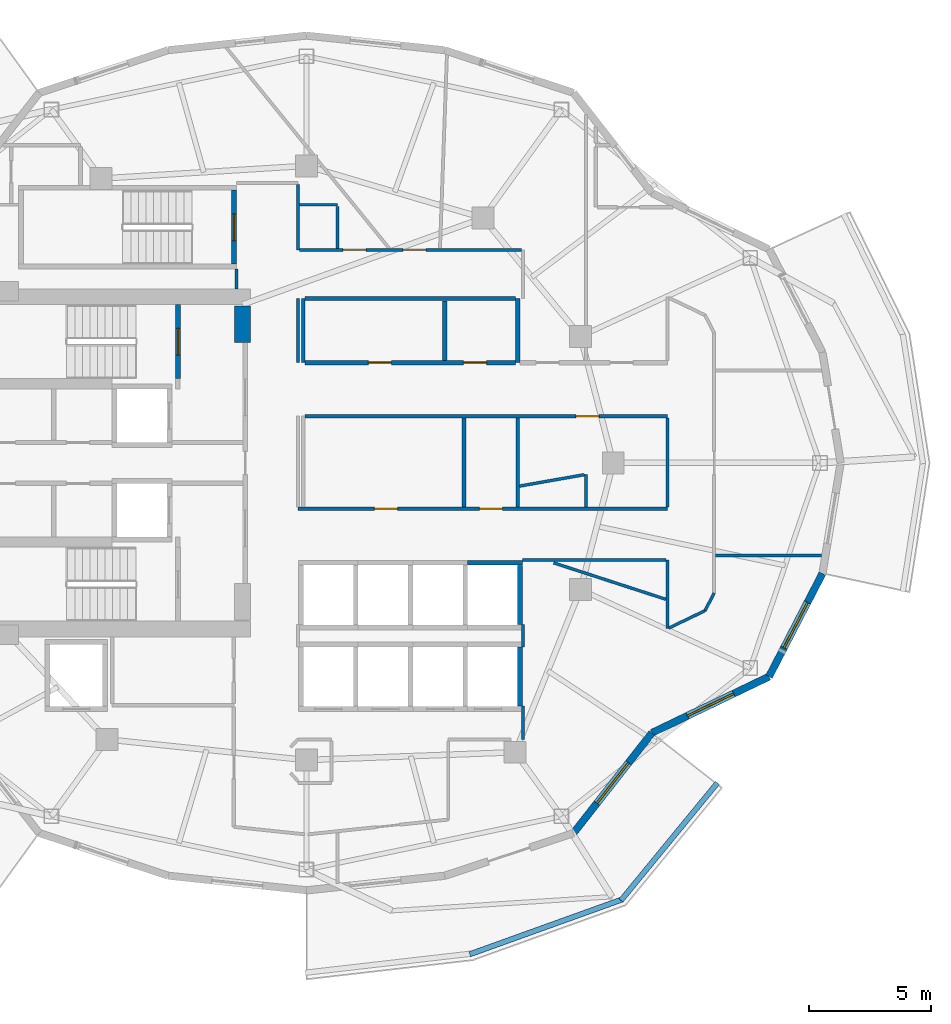
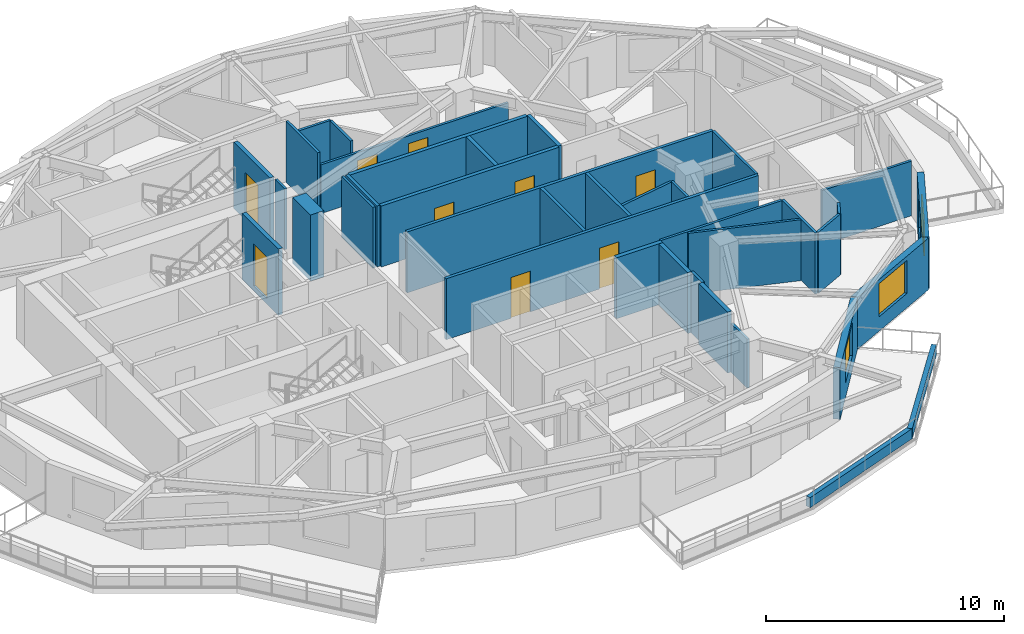
# One storey, part 5 of 12: 37 walls, 9 doors, 3 windows, 12 openings.
"""IFC4 building model written with IfcOpenShell, lengths in metres."""

from ifc_helpers import new_model, si_unit, direction, frame, frame_2d, origin, place, context, subcontext, project, spatial, rectangle, extrude, material, layer, layer_set, type_object, element, fill, save


model = new_model("IFC4")

# Units and contexts
model_context = context("Model", 3, precision=1e-05, world=origin(), true_north=direction((0.0, 1.0)))
body_context = subcontext(model_context, "Body", "Model", "MODEL_VIEW")
ifc_project = project(units=[si_unit("LENGTHUNIT", "METRE"), si_unit("AREAUNIT", "SQUARE_METRE"), si_unit("VOLUMEUNIT", "CUBIC_METRE"), si_unit("PLANEANGLEUNIT", "RADIAN"), si_unit("MASSUNIT", "GRAM", prefix="KILO")], contexts=[model_context])

# Site, building, storey
site_placement = place(None, origin())
site = spatial("IfcSite", under=ifc_project, at=site_placement, CompositionType="ELEMENT")
building_placement = place(site_placement, origin())
building = spatial("IfcBuilding", under=site, at=building_placement, Name="Kolvaren Gate Tower and Convention Centre", CompositionType="ELEMENT")
storey_placement = place(building_placement, frame((0.0, 0.0, 180.10009765625)))
storey = spatial("IfcBuildingStorey", under=building, at=storey_placement, Name="L47", CompositionType="ELEMENT", Elevation=180.10009765625)

# Wall
ifc_material_1 = material(Name="Autoclaved Aerated Masonry Blockwork Class 4 (4.0 MPa)", Category="masonry")
ifc_layer_1 = layer(ifc_material_1, 0.179931640625)
ifc_layer_set_1 = layer_set([ifc_layer_1], Name="Autoclaved Aerated Masonry Blockwork Class 4 (4.0 MPa)")
wall_type_1 = type_object("IfcWallType", Name="ARCH-WL-COMP-180", PredefinedType="SOLIDWALL", material=ifc_layer_set_1)
wall_1_placement = place(storey_placement, frame((38.800048828125, 31.1201171875, 0.0), z_axis=(0.0, 0.0, 1.0), x_axis=(0.0, 1.0, 0.0)))
element("IfcWall", 1, at=wall_1_placement, inside=storey, type_object=wall_type_1, Name="Interior Partition WL-L47-INT-018", PredefinedType="SOLIDWALL", context=body_context, shape_type="SweptSolid", body=[
    extrude(rectangle(XDim=2.6298828125, YDim=0.179931640625, at=frame_2d((1.31494140625, 0.0))), origin(), (0.0, 0.0, 1.0), 3.1298828125),
])

# Wall, openings, doors
wall_2_placement = place(storey_placement, frame((30.076904296875, 31.1201171875, 0.0), z_axis=(0.0, 0.0, 1.0), x_axis=(1.0, 0.0, 0.0)))
wall_2 = element("IfcWall", 2, at=wall_2_placement, inside=storey, type_object=wall_type_1, Name="Interior Partition WL-L47-INT-019", PredefinedType="SOLIDWALL", context=body_context, shape_type="SweptSolid", body=[
    extrude(rectangle(XDim=8.631103515625, YDim=0.179931640625, at=frame_2d((4.3154296875, 0.0))), origin(), (0.0, 0.0, 1.0), 3.1298828125),
])
opening_1_placement = place(wall_2_placement, frame((2.591552734375, 0.0, 0.0)))
opening_1 = element("IfcOpeningElement", 3, at=opening_1_placement, cuts=wall_2, Name="Opening DR-01", PredefinedType="OPENING", context=body_context, shape_type="SweptSolid", body=[
    extrude(rectangle(XDim=0.949951171875, YDim=2.10009765625, at=frame_2d((0.47509765625, 1.050048828125))), frame((0.0, 0.099853515625, 0.0), z_axis=(0.0, -1.0, 0.0), x_axis=(1.0, 0.0, 0.0)), (0.0, 0.0, 1.0), 0.199951171875),
])
opening_2_placement = place(wall_2_placement, frame((6.4970703125, 0.0, 0.0)))
opening_2 = element("IfcOpeningElement", 4, at=opening_2_placement, cuts=wall_2, Name="Opening DR-01", PredefinedType="OPENING", context=body_context, shape_type="SweptSolid", body=[
    extrude(rectangle(XDim=0.949951171875, YDim=2.10009765625, at=frame_2d((0.47509765625, 1.050048828125))), frame((0.0, 0.099853515625, 0.0), z_axis=(0.0, -1.0, 0.0), x_axis=(1.0, 0.0, 0.0)), (0.0, 0.0, 1.0), 0.199951171875),
])
ifc_material_2 = material(Name="Painted Architectural Steelwork ASTM A500 Grade C 345 MPa", Category="steel")
door_type_1 = type_object("IfcDoorType", Name="ARCH-DR-RISER-950", OperationType="SINGLE_SWING_RIGHT", PredefinedType="DOOR", material=ifc_material_2)
door_1_placement = place(opening_1_placement, origin())
door_1 = element("IfcDoor", 5, at=door_1_placement, inside=storey, type_object=door_type_1, Name="Steward Supply Store Door", OperationType="SINGLE_SWING_LEFT", OverallHeight=2.10009765625, OverallWidth=0.949951171875, PredefinedType="DOOR", context=body_context, shape_type="SweptSolid", body=[
    extrude(rectangle(XDim=0.949951171875, YDim=2.10009765625, at=frame_2d((0.47509765625, 1.050048828125))), frame((0.0, 0.02490234375, 0.0), z_axis=(0.0, -1.0, 0.0), x_axis=(1.0, 0.0, 0.0)), (0.0, 0.0, 1.0), 0.050048828125),
])
fill(opening_1, door_1)
door_2_placement = place(opening_2_placement, origin())
door_2 = element("IfcDoor", 6, at=door_2_placement, inside=storey, type_object=door_type_1, Name="Floor Telecom Switch Room Door", OperationType="SINGLE_SWING_RIGHT", OverallHeight=2.10009765625, OverallWidth=0.949951171875, PredefinedType="DOOR", context=body_context, shape_type="SweptSolid", body=[
    extrude(rectangle(XDim=0.949951171875, YDim=2.10009765625, at=frame_2d((0.47509765625, 1.050048828125))), frame((0.0, 0.02490234375, 0.0), z_axis=(0.0, -1.0, 0.0), x_axis=(1.0, 0.0, 0.0)), (0.0, 0.0, 1.0), 0.050048828125),
])
fill(opening_2, door_2)

# Walls
wall_3_placement = place(storey_placement, frame((30.076904296875, 33.75, 0.0), z_axis=(0.0, 0.0, 1.0), x_axis=(1.0, 0.0, 0.0)))
element("IfcWall", 7, at=wall_3_placement, inside=storey, type_object=wall_type_1, Name="Interior Partition WL-L47-INT-020", PredefinedType="SOLIDWALL", context=body_context, shape_type="SweptSolid", body=[
    extrude(rectangle(XDim=8.631103515625, YDim=0.179931640625, at=frame_2d((4.3154296875, 0.0))), origin(), (0.0, 0.0, 1.0), 3.1298828125),
])
wall_4_placement = place(storey_placement, frame((35.800048828125, 31.2119140625, 0.0), z_axis=(0.0, 0.0, 1.0), x_axis=(0.0, 1.0, 0.0)))
element("IfcWall", 8, at=wall_4_placement, inside=storey, type_object=wall_type_1, Name="Interior Partition WL-L47-INT-021", PredefinedType="SOLIDWALL", context=body_context, shape_type="SweptSolid", body=[
    extrude(rectangle(XDim=2.446044921875, YDim=0.179931640625, at=frame_2d((1.22314453125, 0.0))), origin(), (0.0, 0.0, 1.0), 3.1298828125),
])
ifc_material_3 = material(Name="Fire-Rated Acoustic Gypsum Stud Partition", Category="gypsum")
ifc_layer_2 = layer(ifc_material_3, 0.1201171875)
ifc_layer_set_2 = layer_set([ifc_layer_2], Name="Fire-Rated Acoustic Gypsum Stud Partition")
wall_type_2 = type_object("IfcWallType", Name="ARCH-WL-PART-120", PredefinedType="PARTITIONING", material=ifc_layer_set_2)
wall_5_placement = place(storey_placement, frame((39.02001953125, 15.64990234375, 0.0), z_axis=(0.0, 0.0, 1.0), x_axis=(0.0, 1.0, 0.0)))
element("IfcWall", 9, at=wall_5_placement, inside=storey, type_object=wall_type_2, Name="Interior Partition WL-L47-INT-022", PredefinedType="PARTITIONING", context=body_context, shape_type="SweptSolid", body=[
    extrude(rectangle(XDim=1.360107421875, YDim=0.1201171875, at=frame_2d((0.68017578125, 0.0))), origin(), (0.0, 0.0, 1.0), 2.5048828125),
])
wall_6_placement = place(storey_placement, frame((39.02001953125, 19.43994140625, 0.0), z_axis=(0.0, 0.0, 1.0), x_axis=(0.0, 1.0, 0.0)))
element("IfcWall", 10, at=wall_6_placement, inside=storey, type_object=wall_type_2, Name="Interior Partition WL-L47-INT-022 (2)", PredefinedType="PARTITIONING", context=body_context, shape_type="SweptSolid", body=[
    extrude(rectangle(XDim=0.920166015625, YDim=0.1201171875, at=frame_2d((0.4599609375, 0.0))), origin(), (0.0, 0.0, 1.0), 3.1298828125),
])
wall_7_placement = place(storey_placement, frame((27.25, 34.152099609375, 0.0), z_axis=(0.0, 0.0, 1.0), x_axis=(0.0, 1.0, 0.0)))
element("IfcWall", 11, at=wall_7_placement, inside=storey, type_object=wall_type_2, Name="Interior Partition WL-L47-INT-029", PredefinedType="PARTITIONING", context=body_context, shape_type="SweptSolid", body=[
    extrude(rectangle(XDim=0.805908203125, YDim=0.1201171875, at=frame_2d((0.40283203125, 0.0))), origin(), (0.0, 0.0, 1.0), 3.1298828125),
])
wall_8_placement = place(storey_placement, frame((29.780029296875, 31.1201171875, 0.0), z_axis=(0.0, 0.0, 1.0), x_axis=(0.0, 1.0, 0.0)))
element("IfcWall", 12, at=wall_8_placement, inside=storey, type_object=wall_type_2, Name="Interior Partition WL-L47-INT-033", PredefinedType="PARTITIONING", context=body_context, shape_type="SweptSolid", body=[
    extrude(rectangle(XDim=2.6298828125, YDim=0.1201171875, at=frame_2d((1.31494140625, 0.0))), origin(), (0.0, 0.0, 1.0), 3.1298828125),
])
wall_9_placement = place(storey_placement, frame((29.780029296875, 35.75, 0.0), z_axis=(0.0, 0.0, 1.0), x_axis=(0.0, 1.0, 0.0)))
element("IfcWall", 13, at=wall_9_placement, inside=storey, type_object=wall_type_2, Name="Interior Partition WL-L47-INT-034", PredefinedType="PARTITIONING", context=body_context, shape_type="SweptSolid", body=[
    extrude(rectangle(XDim=2.68798828125, YDim=0.1201171875, at=frame_2d((1.343994140625, 0.0))), origin(), (0.0, 0.0, 1.0), 3.1298828125),
])

# Wall, openings, doors
wall_10_placement = place(storey_placement, frame((29.842041015625, 35.75, 0.0), z_axis=(0.0, 0.0, 1.0), x_axis=(1.0, 0.0, 0.0)))
wall_10 = element("IfcWall", 14, at=wall_10_placement, inside=storey, type_object=wall_type_2, Name="Interior Partition WL-L47-INT-035", PredefinedType="PARTITIONING", context=body_context, shape_type="SweptSolid", body=[
    extrude(rectangle(XDim=9.115966796875, YDim=0.1201171875, at=frame_2d((4.55810546875, 0.0))), origin(), (0.0, 0.0, 1.0), 2.5048828125),
])
opening_3_placement = place(wall_10_placement, frame((4.240478515625, 0.0, 0.0)))
opening_3 = element("IfcOpeningElement", 15, at=opening_3_placement, cuts=wall_10, Name="Opening DR-01", PredefinedType="OPENING", context=body_context, shape_type="SweptSolid", body=[
    extrude(rectangle(XDim=0.949951171875, YDim=2.10009765625, at=frame_2d((0.47509765625, 1.050048828125))), frame((0.0, 0.070068359375, 0.0), z_axis=(0.0, -1.0, 0.0), x_axis=(1.0, 0.0, 0.0)), (0.0, 0.0, 1.0), 0.14013671875),
])
opening_4_placement = place(wall_10_placement, frame((1.784912109375, 0.0, 0.0)))
opening_4 = element("IfcOpeningElement", 16, at=opening_4_placement, cuts=wall_10, Name="Opening DR-01", PredefinedType="OPENING", context=body_context, shape_type="SweptSolid", body=[
    extrude(rectangle(XDim=0.949951171875, YDim=2.10009765625, at=frame_2d((0.47509765625, 1.050048828125))), frame((0.0, 0.070068359375, 0.0), z_axis=(0.0, -1.0, 0.0), x_axis=(1.0, 0.0, 0.0)), (0.0, 0.0, 1.0), 0.14013671875),
])
door_3_placement = place(opening_3_placement, origin())
door_3 = element("IfcDoor", 17, at=door_3_placement, inside=storey, type_object=door_type_1, Name="Hotel Botanical Clubroom Door", OperationType="SINGLE_SWING_LEFT", OverallHeight=2.10009765625, OverallWidth=0.949951171875, PredefinedType="DOOR", context=body_context, shape_type="SweptSolid", body=[
    extrude(rectangle(XDim=0.949951171875, YDim=2.10009765625, at=frame_2d((0.47509765625, 1.050048828125))), frame((0.0, 0.02490234375, 0.0), z_axis=(0.0, -1.0, 0.0), x_axis=(1.0, 0.0, 0.0)), (0.0, 0.0, 1.0), 0.050048828125),
])
fill(opening_3, door_3)
door_4_placement = place(opening_4_placement, origin())
door_4 = element("IfcDoor", 18, at=door_4_placement, inside=storey, type_object=door_type_1, Name="Hotel Guest Room (HTL-L47-08) Door", OperationType="SINGLE_SWING_RIGHT", OverallHeight=2.10009765625, OverallWidth=0.949951171875, PredefinedType="DOOR", context=body_context, shape_type="SweptSolid", body=[
    extrude(rectangle(XDim=0.949951171875, YDim=2.10009765625, at=frame_2d((0.47509765625, 1.050048828125))), frame((0.0, 0.02490234375, 0.0), z_axis=(0.0, -1.0, 0.0), x_axis=(1.0, 0.0, 0.0)), (0.0, 0.0, 1.0), 0.050048828125),
])
fill(opening_4, door_4)

# Walls
wall_11_placement = place(storey_placement, frame((44.949951171875, 20.19189453125, 0.0), z_axis=(0.0, 0.0, 1.0), x_axis=(0.0, 1.0, 0.0)))
element("IfcWall", 19, at=wall_11_placement, inside=storey, type_object=wall_type_2, Name="Interior Partition WL-L47-INT-036", PredefinedType="PARTITIONING", context=body_context, shape_type="SweptSolid", body=[
    extrude(rectangle(XDim=2.828125, YDim=0.1201171875, at=frame_2d((1.4140625, 0.0))), origin(), (0.0, 0.0, 1.0), 3.1298828125),
])
wall_12_placement = place(storey_placement, frame((44.949951171875, 25.197021484375, 0.0), z_axis=(0.0, 0.0, 1.0), x_axis=(0.0, 1.0, 0.0)))
element("IfcWall", 20, at=wall_12_placement, inside=storey, type_object=wall_type_2, Name="Interior Partition WL-L47-INT-037", PredefinedType="PARTITIONING", context=body_context, shape_type="SweptSolid", body=[
    extrude(rectangle(XDim=3.64599609375, YDim=0.1201171875, at=frame_2d((1.822998046875, 0.0))), origin(), (0.0, 0.0, 1.0), 3.1298828125),
])
wall_13_placement = place(storey_placement, frame((46.493896484375, 20.93408203125, 0.0), z_axis=(0.0, 0.0, 1.0), x_axis=(0.460674892026, 0.887568951607, 0.0)))
element("IfcWall", 21, at=wall_13_placement, inside=storey, type_object=wall_type_2, Name="Interior Partition WL-L47-INT-042", PredefinedType="PARTITIONING", context=body_context, shape_type="SweptSolid", body=[
    extrude(rectangle(XDim=0.816650390625, YDim=0.1201171875, at=frame_2d((0.408203125, 0.0))), origin(), (0.0, 0.0, 1.0), 3.1298828125),
])
wall_14_placement = place(storey_placement, frame((45.011962890625, 20.2216796875, 0.0), z_axis=(0.0, 0.0, 1.0), x_axis=(0.901268034538, 0.433261964544, 0.0)))
element("IfcWall", 22, at=wall_14_placement, inside=storey, type_object=wall_type_2, Name="Interior Partition WL-L47-INT-043", PredefinedType="PARTITIONING", context=body_context, shape_type="SweptSolid", body=[
    extrude(rectangle(XDim=1.644287109375, YDim=0.1201171875, at=frame_2d((0.822265625, 0.0))), origin(), (0.0, 0.0, 1.0), 3.1298828125),
])
wall_15_placement = place(storey_placement, frame((39.0, 23.02001953125, 0.0), z_axis=(0.0, 0.0, 1.0), x_axis=(1.0, 0.0, 0.0)))
element("IfcWall", 23, at=wall_15_placement, inside=storey, type_object=wall_type_2, Name="Interior Partition WL-L47-INT-044", PredefinedType="PARTITIONING", context=body_context, shape_type="SweptSolid", body=[
    extrude(rectangle(XDim=5.887939453125, YDim=0.1201171875, at=frame_2d((2.94384765625, 0.0))), origin(), (0.0, 0.0, 1.0), 3.1298828125),
])
wall_16_placement = place(storey_placement, frame((29.842041015625, 37.60009765625, 0.0), z_axis=(0.0, 0.0, 1.0), x_axis=(1.0, 0.0, 0.0)))
element("IfcWall", 24, at=wall_16_placement, inside=storey, type_object=wall_type_2, Name="Interior Partition WL-L47-INT-050", PredefinedType="PARTITIONING", context=body_context, shape_type="SweptSolid", body=[
    extrude(rectangle(XDim=1.557861328125, YDim=0.1201171875, at=frame_2d((0.77880859375, 0.0))), origin(), (0.0, 0.0, 1.0), 3.1298828125),
])
wall_17_placement = place(storey_placement, frame((31.39990234375, 35.81201171875, 0.0), z_axis=(0.0, 0.0, 1.0), x_axis=(0.0, 1.0, 0.0)))
element("IfcWall", 25, at=wall_17_placement, inside=storey, type_object=wall_type_2, Name="Interior Partition WL-L47-INT-052", PredefinedType="PARTITIONING", context=body_context, shape_type="SweptSolid", body=[
    extrude(rectangle(XDim=1.72607421875, YDim=0.1201171875, at=frame_2d((0.863037109375, 0.0))), origin(), (0.0, 0.0, 1.0), 3.1298828125),
])
wall_18_placement = place(storey_placement, frame((40.277587890625, 22.89794921875, 0.0), z_axis=(0.0, 0.0, 1.0), x_axis=(0.951068113263, -0.3089813003, 0.0)))
element("IfcWall", 26, at=wall_18_placement, inside=storey, type_object=wall_type_2, Name="Interior Partition WL-L47-INT-053", PredefinedType="PARTITIONING", context=body_context, shape_type="SweptSolid", body=[
    extrude(rectangle(XDim=4.84765625, YDim=0.1201171875, at=frame_2d((2.423828125, 0.0))), origin(), (0.0, 0.0, 1.0), 3.1298828125),
])
wall_19_placement = place(storey_placement, frame((46.931884765625, 23.199951171875, 0.0), z_axis=(0.0, 0.0, 1.0), x_axis=(1.0, 0.0, 0.0)))
element("IfcWall", 27, at=wall_19_placement, inside=storey, type_object=wall_type_2, Name="Interior Partition WL-L47-INT-054", PredefinedType="PARTITIONING", context=body_context, shape_type="SweptSolid", body=[
    extrude(rectangle(XDim=4.351318359375, YDim=0.1201171875, at=frame_2d((2.17578125, 0.0))), origin(), (0.0, 0.0, 1.0), 2.81201171875),
])
wall_20_placement = place(storey_placement, frame((41.60009765625, 25.197021484375, 0.0), z_axis=(0.0, 0.0, 1.0), x_axis=(0.0, 1.0, 0.0)))
element("IfcWall", 28, at=wall_20_placement, inside=storey, type_object=wall_type_2, Name="Interior Partition WL-L47-INT-056", PredefinedType="PARTITIONING", context=body_context, shape_type="SweptSolid", body=[
    extrude(rectangle(XDim=1.3310546875, YDim=0.1201171875, at=frame_2d((0.66552734375, 0.0))), origin(), (0.0, 0.0, 1.0), 3.1298828125),
])
wall_21_placement = place(storey_placement, frame((38.876953125, 26.048583984375, 0.0), z_axis=(0.0, 0.0, 1.0), x_axis=(0.984853517989, 0.173388431286, 0.0)))
element("IfcWall", 29, at=wall_21_placement, inside=storey, type_object=wall_type_2, Name="Interior Partition WL-L47-INT-058", PredefinedType="PARTITIONING", context=body_context, shape_type="SweptSolid", body=[
    extrude(rectangle(XDim=2.7021484375, YDim=0.1201171875, at=frame_2d((1.35107421875, 0.0))), origin(), (0.0, 0.0, 1.0), 3.1298828125),
])
ifc_material_4 = material(Name="Piedmont Cream Honed Limestone Cladding", Category="masonry")
ifc_layer_3 = layer(ifc_material_4, 0.219970703125)
ifc_layer_set_3 = layer_set([ifc_layer_3], Name="Piedmont Cream Honed Limestone Cladding")
wall_type_3 = type_object("IfcWallType", Name="ARCH-WL-PLANTER-220", PredefinedType="PARAPET", material=ifc_layer_set_3)
wall_22_placement = place(storey_placement, frame((36.836669921875, 6.826171875, 0.0), z_axis=(0.0, 0.0, 1.0), x_axis=(0.940948576924, 0.338549517184, 0.0)))
element("IfcWall", 30, at=wall_22_placement, inside=storey, type_object=wall_type_3, Name="Vertical-Forest Balcony Stone Planter Kerb PK-L47-3.2", PredefinedType="PARAPET", context=body_context, shape_type="SweptSolid", body=[
    extrude(rectangle(XDim=6.6640625, YDim=0.219970703125, at=frame_2d((3.33203125, 0.0))), origin(), (0.0, 0.0, 1.0), 0.52001953125),
])
wall_23_placement = place(storey_placement, frame((43.0419921875, 9.03564453125, 0.0), z_axis=(0.0, 0.0, 1.0), x_axis=(0.634429234628, 0.77298094818, 0.0)))
element("IfcWall", 31, at=wall_23_placement, inside=storey, type_object=wall_type_3, Name="Vertical-Forest Balcony Stone Planter Kerb PK-L47-3.3", PredefinedType="PARAPET", context=body_context, shape_type="SweptSolid", body=[
    extrude(rectangle(XDim=6.244873046875, YDim=0.219970703125, at=frame_2d((3.12255859375, 0.0))), origin(), (0.0, 0.0, 1.0), 0.52001953125),
])
ifc_layer_4 = layer(ifc_material_1, 0.199951171875)
ifc_layer_set_4 = layer_set([ifc_layer_4], Name="Autoclaved Aerated Masonry Blockwork Class 4 (4.0 MPa)")
wall_type_4 = type_object("IfcWallType", Name="ARCH-WL-SHAFT-200", PredefinedType="SOLIDWALL", material=ifc_layer_set_4)
wall_24_placement = place(storey_placement, frame((38.89990234375, 17.010009765625, 0.0), z_axis=(0.0, 0.0, 1.0), x_axis=(0.0, 1.0, 0.0)))
element("IfcWall", 32, at=wall_24_placement, inside=storey, type_object=wall_type_4, Name="Elevator PL-08 L47 Fire Shaft Wall E", PredefinedType="SOLIDWALL", context=body_context, shape_type="SweptSolid", body=[
    extrude(rectangle(XDim=2.429931640625, YDim=0.199951171875, at=frame_2d((1.21484375, 0.0))), origin(), (0.0, 0.0, 1.0), 3.1298828125),
])
wall_25_placement = place(storey_placement, frame((36.75, 22.89990234375, 0.0), z_axis=(0.0, 0.0, 1.0), x_axis=(1.0, 0.0, 0.0)))
element("IfcWall", 33, at=wall_25_placement, inside=storey, type_object=wall_type_4, Name="Elevator PL-12 L47 Fire Shaft Wall N", PredefinedType="SOLIDWALL", context=body_context, shape_type="SweptSolid", body=[
    extrude(rectangle(XDim=2.25, YDim=0.199951171875, at=frame_2d((1.125, 0.0))), origin(), (0.0, 0.0, 1.0), 3.1298828125),
])
wall_26_placement = place(storey_placement, frame((38.89990234375, 20.360107421875, 0.0), z_axis=(0.0, 0.0, 1.0), x_axis=(0.0, 1.0, 0.0)))
element("IfcWall", 34, at=wall_26_placement, inside=storey, type_object=wall_type_4, Name="Elevator PL-12 L47 Fire Shaft Wall E", PredefinedType="SOLIDWALL", context=body_context, shape_type="SweptSolid", body=[
    extrude(rectangle(XDim=2.429931640625, YDim=0.199951171875, at=frame_2d((1.21484375, 0.0))), origin(), (0.0, 0.0, 1.0), 3.1298828125),
])

# Wall, opening, window
ifc_layer_5 = layer(ifc_material_4, 0.300048828125)
ifc_layer_set_5 = layer_set([ifc_layer_5], Name="Piedmont Cream Honed Limestone Cladding")
wall_type_5 = type_object("IfcWallType", Name="ARCH-WL-STONE-300", PredefinedType="SOLIDWALL", material=ifc_layer_set_5)
wall_27_placement = place(storey_placement, frame((41.09375, 11.80126953125, 0.0), z_axis=(0.0, 0.0, 1.0), x_axis=(0.616429245738, 0.787410302828, 0.0)))
wall_27 = element("IfcWall", 35, at=wall_27_placement, inside=storey, type_object=wall_type_5, Name="Tower L47 Honed Stone Spandrel Wall EW-20", PredefinedType="SOLIDWALL", context=body_context, shape_type="SweptSolid", body=[
    extrude(rectangle(XDim=5.22314453125, YDim=0.300048828125, at=frame_2d((2.611572265625, 0.0))), origin(), (0.0, 0.0, 1.0), 2.65283203125),
])
opening_5_placement = place(wall_27_placement, frame((1.56201171875, 0.0, 0.739990234375)))
opening_5 = element("IfcOpeningElement", 36, at=opening_5_placement, cuts=wall_27, Name="Opening W-02", PredefinedType="OPENING", context=body_context, shape_type="SweptSolid", body=[
    extrude(rectangle(XDim=2.10009765625, YDim=1.699951171875, at=frame_2d((1.050048828125, 0.85009765625))), frame((0.0, 0.159912109375, 0.0), z_axis=(0.0, -1.0, 0.0), x_axis=(1.0, 0.0, 0.0)), (0.0, 0.0, 1.0), 0.320068359375),
])
ifc_material_5 = material(Name="Low-E Triple Insulated Glazing Unit 44 mm", Category="glass")
window_type = type_object("IfcWindowType", Name="ARCH-WN-HTL-2100", PartitioningType="SINGLE_PANEL", PredefinedType="WINDOW", material=ifc_material_5)
window_1_placement = place(opening_5_placement, origin())
window_1 = element("IfcWindow", 37, at=window_1_placement, inside=storey, type_object=window_type, Name="Tower L47 Punched Stone Facade Window W-20", OverallHeight=1.699951171875, OverallWidth=2.10009765625, PartitioningType="SINGLE_PANEL", PredefinedType="WINDOW", context=body_context, shape_type="SweptSolid", body=[
    extrude(rectangle(XDim=2.10009765625, YDim=1.699951171875, at=frame_2d((1.050048828125, 0.85009765625))), frame((0.0, 0.030029296875, 0.0), z_axis=(0.0, -1.0, 0.0), x_axis=(1.0, 0.0, 0.0)), (0.0, 0.0, 1.0), 0.06005859375),
])
fill(opening_5, window_1)

wall_28_placement = place(storey_placement, frame((44.3134765625, 15.9140625, 0.0), z_axis=(0.0, 0.0, 1.0), x_axis=(0.901353070301, 0.433085029363, 0.0)))
wall_28 = element("IfcWall", 38, at=wall_28_placement, inside=storey, type_object=wall_type_5, Name="Tower L47 Honed Stone Spandrel Wall EW-21", PredefinedType="SOLIDWALL", context=body_context, shape_type="SweptSolid", body=[
    extrude(rectangle(XDim=5.336181640625, YDim=0.300048828125, at=frame_2d((2.66796875, 0.0))), origin(), (0.0, 0.0, 1.0), 2.65283203125),
])
opening_6_placement = place(wall_28_placement, frame((1.617919921875, 0.0, 0.739990234375)))
opening_6 = element("IfcOpeningElement", 39, at=opening_6_placement, cuts=wall_28, Name="Opening W-02", PredefinedType="OPENING", context=body_context, shape_type="SweptSolid", body=[
    extrude(rectangle(XDim=2.10009765625, YDim=1.699951171875, at=frame_2d((1.050048828125, 0.85009765625))), frame((0.0, 0.159912109375, 0.0), z_axis=(0.0, -1.0, 0.0), x_axis=(1.0, 0.0, 0.0)), (0.0, 0.0, 1.0), 0.320068359375),
])
window_2_placement = place(opening_6_placement, origin())
window_2 = element("IfcWindow", 40, at=window_2_placement, inside=storey, type_object=window_type, Name="Tower L47 Punched Stone Facade Window W-21", OverallHeight=1.699951171875, OverallWidth=2.10009765625, PartitioningType="SINGLE_PANEL", PredefinedType="WINDOW", context=body_context, shape_type="SweptSolid", body=[
    extrude(rectangle(XDim=2.10009765625, YDim=1.699951171875, at=frame_2d((1.050048828125, 0.85009765625))), frame((0.0, 0.030029296875, 0.0), z_axis=(0.0, -1.0, 0.0), x_axis=(1.0, 0.0, 0.0)), (0.0, 0.0, 1.0), 0.06005859375),
])
fill(opening_6, window_2)

wall_29_placement = place(storey_placement, frame((49.123291015625, 18.22509765625, 0.0), z_axis=(0.0, 0.0, 1.0), x_axis=(0.459810251451, 0.888017191647, 0.0)))
wall_29 = element("IfcWall", 41, at=wall_29_placement, inside=storey, type_object=wall_type_5, Name="Tower L47 Honed Stone Spandrel Wall EW-22", PredefinedType="SOLIDWALL", context=body_context, shape_type="SweptSolid", body=[
    extrude(rectangle(XDim=4.766357421875, YDim=0.300048828125, at=frame_2d((2.38330078125, 0.0))), origin(), (0.0, 0.0, 1.0), 2.65283203125),
])
opening_7_placement = place(wall_29_placement, frame((1.3330078125, 0.0, 0.739990234375)))
opening_7 = element("IfcOpeningElement", 42, at=opening_7_placement, cuts=wall_29, Name="Opening W-02", PredefinedType="OPENING", context=body_context, shape_type="SweptSolid", body=[
    extrude(rectangle(XDim=2.10009765625, YDim=1.699951171875, at=frame_2d((1.050048828125, 0.85009765625))), frame((0.0, 0.159912109375, 0.0), z_axis=(0.0, -1.0, 0.0), x_axis=(1.0, 0.0, 0.0)), (0.0, 0.0, 1.0), 0.320068359375),
])
window_3_placement = place(opening_7_placement, origin())
window_3 = element("IfcWindow", 43, at=window_3_placement, inside=storey, type_object=window_type, Name="Tower L47 Punched Stone Facade Window W-22", OverallHeight=1.699951171875, OverallWidth=2.10009765625, PartitioningType="SINGLE_PANEL", PredefinedType="WINDOW", context=body_context, shape_type="SweptSolid", body=[
    extrude(rectangle(XDim=2.10009765625, YDim=1.699951171875, at=frame_2d((1.050048828125, 0.85009765625))), frame((0.0, 0.030029296875, 0.0), z_axis=(0.0, -1.0, 0.0), x_axis=(1.0, 0.0, 0.0)), (0.0, 0.0, 1.0), 0.06005859375),
])
fill(opening_7, window_3)

# Wall, openings, doors
ifc_material_6 = material(Name="Moisture-Resistant Cement-Board Acoustic Partition", Category="gypsum")
ifc_layer_6 = layer(ifc_material_6, 0.14990234375)
ifc_layer_set_6 = layer_set([ifc_layer_6], Name="Moisture-Resistant Cement-Board Acoustic Partition")
wall_type_6 = type_object("IfcWallType", Name="ARCH-WL-WET-150", PredefinedType="PARTITIONING", material=ifc_layer_set_6)
wall_30_placement = place(storey_placement, frame((29.780029296875, 25.1201171875, 0.0), z_axis=(0.0, 0.0, 1.0), x_axis=(1.0, 0.0, 0.0)))
wall_30 = element("IfcWall", 44, at=wall_30_placement, inside=storey, type_object=wall_type_6, Name="Interior Partition WL-L47-INT-012", PredefinedType="PARTITIONING", context=body_context, shape_type="SweptSolid", body=[
    extrude(rectangle(XDim=15.169921875, YDim=0.14990234375, at=frame_2d((7.5849609375, 0.0))), origin(), (0.0, 0.0, 1.0), 3.1298828125),
])
opening_8_placement = place(wall_30_placement, frame((3.139892578125, 0.0, 0.0)))
opening_8 = element("IfcOpeningElement", 45, at=opening_8_placement, cuts=wall_30, Name="Opening DR-01", PredefinedType="OPENING", context=body_context, shape_type="SweptSolid", body=[
    extrude(rectangle(XDim=0.949951171875, YDim=2.10009765625, at=frame_2d((0.47509765625, 1.050048828125))), frame((0.0, 0.0849609375, 0.0), z_axis=(0.0, -1.0, 0.0), x_axis=(1.0, 0.0, 0.0)), (0.0, 0.0, 1.0), 0.169921875),
])
opening_9_placement = place(wall_30_placement, frame((7.445068359375, 0.0, 0.0)))
opening_9 = element("IfcOpeningElement", 46, at=opening_9_placement, cuts=wall_30, Name="Opening DR-01", PredefinedType="OPENING", context=body_context, shape_type="SweptSolid", body=[
    extrude(rectangle(XDim=0.949951171875, YDim=2.10009765625, at=frame_2d((0.47509765625, 1.050048828125))), frame((0.0, 0.0849609375, 0.0), z_axis=(0.0, -1.0, 0.0), x_axis=(1.0, 0.0, 0.0)), (0.0, 0.0, 1.0), 0.169921875),
])
door_5_placement = place(opening_8_placement, origin())
door_5 = element("IfcDoor", 47, at=door_5_placement, inside=storey, type_object=door_type_1, Name="Accessible Universal Washroom Door", OperationType="SINGLE_SWING_LEFT", OverallHeight=2.10009765625, OverallWidth=0.949951171875, PredefinedType="DOOR", context=body_context, shape_type="SweptSolid", body=[
    extrude(rectangle(XDim=0.949951171875, YDim=2.10009765625, at=frame_2d((0.47509765625, 1.050048828125))), frame((0.0, 0.02490234375, 0.0), z_axis=(0.0, -1.0, 0.0), x_axis=(1.0, 0.0, 0.0)), (0.0, 0.0, 1.0), 0.050048828125),
])
fill(opening_8, door_5)
door_6_placement = place(opening_9_placement, origin())
door_6 = element("IfcDoor", 48, at=door_6_placement, inside=storey, type_object=door_type_1, Name="Hotel Housekeeping and Linen Store Door", OperationType="SINGLE_SWING_RIGHT", OverallHeight=2.10009765625, OverallWidth=0.949951171875, PredefinedType="DOOR", context=body_context, shape_type="SweptSolid", body=[
    extrude(rectangle(XDim=0.949951171875, YDim=2.10009765625, at=frame_2d((0.47509765625, 1.050048828125))), frame((0.0, 0.02490234375, 0.0), z_axis=(0.0, -1.0, 0.0), x_axis=(1.0, 0.0, 0.0)), (0.0, 0.0, 1.0), 0.050048828125),
])
fill(opening_9, door_6)

# Wall
wall_31_placement = place(storey_placement, frame((30.0, 31.1201171875, 0.0), z_axis=(0.0, 0.0, 1.0), x_axis=(0.0, 1.0, 0.0)))
element("IfcWall", 49, at=wall_31_placement, inside=storey, type_object=wall_type_6, Name="Interior Partition WL-L47-INT-014", PredefinedType="PARTITIONING", context=body_context, shape_type="SweptSolid", body=[
    extrude(rectangle(XDim=2.6298828125, YDim=0.14990234375, at=frame_2d((1.31494140625, 0.0))), origin(), (0.0, 0.0, 1.0), 3.1298828125),
])

# Wall, opening, door
wall_32_placement = place(storey_placement, frame((30.076904296875, 28.919921875, 0.0), z_axis=(0.0, 0.0, 1.0), x_axis=(1.0, 0.0, 0.0)))
wall_32 = element("IfcWall", 50, at=wall_32_placement, inside=storey, type_object=wall_type_6, Name="Interior Partition WL-L47-INT-015", PredefinedType="PARTITIONING", context=body_context, shape_type="SweptSolid", body=[
    extrude(rectangle(XDim=14.873046875, YDim=0.14990234375, at=frame_2d((7.4365234375, 0.0))), origin(), (0.0, 0.0, 1.0), 3.1298828125),
])
opening_10_placement = place(wall_32_placement, frame((11.117919921875, 0.0, 0.0)))
opening_10 = element("IfcOpeningElement", 51, at=opening_10_placement, cuts=wall_32, Name="Opening DR-01", PredefinedType="OPENING", context=body_context, shape_type="SweptSolid", body=[
    extrude(rectangle(XDim=0.949951171875, YDim=2.10009765625, at=frame_2d((0.47509765625, 1.050048828125))), frame((0.0, 0.0849609375, 0.0), z_axis=(0.0, -1.0, 0.0), x_axis=(1.0, 0.0, 0.0)), (0.0, 0.0, 1.0), 0.169921875),
])
door_7_placement = place(opening_10_placement, origin())
door_7 = element("IfcDoor", 52, at=door_7_placement, inside=storey, type_object=door_type_1, Name="Sky Gastronomy Restaurant Door", OperationType="SINGLE_SWING_RIGHT", OverallHeight=2.10009765625, OverallWidth=0.949951171875, PredefinedType="DOOR", context=body_context, shape_type="SweptSolid", body=[
    extrude(rectangle(XDim=0.949951171875, YDim=2.10009765625, at=frame_2d((0.47509765625, 1.050048828125))), frame((0.0, 0.02490234375, 0.0), z_axis=(0.0, -1.0, 0.0), x_axis=(1.0, 0.0, 0.0)), (0.0, 0.0, 1.0), 0.050048828125),
])
fill(opening_10, door_7)

# Walls
for number, where, z_axis, x_axis, name in (
    (53, (36.60009765625, 25.197021484375, 0.0), (0.0, 0.0, 1.0), (0.0, 1.0, 0.0), "Interior Partition WL-L47-INT-016"),
    (54, (38.800048828125, 25.197021484375, 0.0), (0.0, 0.0, 1.0), (0.0, 1.0, 0.0), "Interior Partition WL-L47-INT-017"),
):
    element("IfcWall", number, at=place(storey_placement, frame(where, z_axis=z_axis, x_axis=x_axis)), inside=storey, type_object=wall_type_6, Name=name, PredefinedType="PARTITIONING", context=body_context, shape_type="SweptSolid", body=[
        extrude(rectangle(XDim=3.64599609375, YDim=0.14990234375, at=frame_2d((1.822998046875, 0.0))), origin(), (0.0, 0.0, 1.0), 3.1298828125),
    ])
ifc_material_7 = material(Name="Concrete C60/75", Category="concrete")
ifc_layer_7 = layer(ifc_material_7, 0.64990234375)
ifc_layer_set_7 = layer_set([ifc_layer_7], Name="Concrete C60/75")
wall_type_7 = type_object("IfcWallType", Name="STR-WL-CORE-650", PredefinedType="SHEAR", material=ifc_layer_set_7)
wall_33_placement = place(storey_placement, frame((27.5, 31.949951171875, -0.27001953125), z_axis=(0.0, 0.0, 1.0), x_axis=(0.0, 1.0, 0.0)))
element("IfcWall", 55, at=wall_33_placement, inside=storey, type_object=wall_type_7, Name="Tower L47 Offset Core Shear Wall EN", PredefinedType="SHEAR", context=body_context, shape_type="SweptSolid", body=[
    extrude(rectangle(XDim=1.5, YDim=0.64990234375, at=frame_2d((0.75, 0.0))), origin(), (0.0, 0.0, 1.0), 3.39990234375),
])

# Wall, opening, door
ifc_material_8 = material(Name="Concrete C50/60", Category="concrete")
ifc_layer_8 = layer(ifc_material_8, 0.199951171875)
ifc_layer_set_8 = layer_set([ifc_layer_8], Name="Concrete C50/60")
wall_type_8 = type_object("IfcWallType", Name="STR-WL-SHAFT-200", PredefinedType="SHEAR", material=ifc_layer_set_8)
wall_34_placement = place(storey_placement, frame((24.85009765625, 30.4599609375, -0.27001953125), z_axis=(0.0, 0.0, 1.0), x_axis=(0.0, 1.0, 0.0)))
wall_34 = element("IfcWall", 56, at=wall_34_placement, inside=storey, type_object=wall_type_8, Name="Tower North Exit Stair ST-T1 L47 Structural Shear Enclosure Wall NEAR", PredefinedType="SHEAR", context=body_context, shape_type="SweptSolid", body=[
    extrude(rectangle(XDim=3.0380859375, YDim=0.199951171875, at=frame_2d((1.51904296875, 0.0))), origin(), (0.0, 0.0, 1.0), 3.39990234375),
])
opening_11_placement = place(wall_34_placement, frame((0.968994140625, 0.0, 0.27001953125)))
opening_11 = element("IfcOpeningElement", 57, at=opening_11_placement, cuts=wall_34, Name="Opening DS-01", PredefinedType="OPENING", context=body_context, shape_type="SweptSolid", body=[
    extrude(rectangle(XDim=1.10009765625, YDim=2.14990234375, at=frame_2d((0.550048828125, 1.074951171875))), frame((0.0, 0.10986328125, 0.0), z_axis=(0.0, -1.0, 0.0), x_axis=(1.0, 0.0, 0.0)), (0.0, 0.0, 1.0), 0.219970703125),
])
door_type_2 = type_object("IfcDoorType", Name="ARCH-DR-STAIR-1100", OperationType="SINGLE_SWING_LEFT", PredefinedType="DOOR", material=ifc_material_2)
door_8_placement = place(opening_11_placement, origin())
door_8 = element("IfcDoor", 58, at=door_8_placement, inside=storey, type_object=door_type_2, Name="Tower North Exit Stair ST-T1 L47 Fire Exit Stair Door", OperationType="SINGLE_SWING_LEFT", OverallHeight=2.14990234375, OverallWidth=1.10009765625, PredefinedType="DOOR", context=body_context, shape_type="SweptSolid", body=[
    extrude(rectangle(XDim=1.10009765625, YDim=2.14990234375, at=frame_2d((0.550048828125, 1.074951171875))), frame((0.0, 0.02490234375, 0.0), z_axis=(0.0, -1.0, 0.0), x_axis=(1.0, 0.0, 0.0)), (0.0, 0.0, 1.0), 0.050048828125),
])
fill(opening_11, door_8)

wall_35_placement = place(storey_placement, frame((27.14990234375, 35.159912109375, -0.27001953125), z_axis=(0.0, 0.0, 1.0), x_axis=(0.0, 1.0, 0.0)))
wall_35 = element("IfcWall", 59, at=wall_35_placement, inside=storey, type_object=wall_type_8, Name="Tower Mid-Zone Exit Stair ST-T3 L47 Structural Shear Enclosure Wall NEAR", PredefinedType="SHEAR", context=body_context, shape_type="SweptSolid", body=[
    extrude(rectangle(XDim=3.0400390625, YDim=0.199951171875, at=frame_2d((1.52001953125, 0.0))), origin(), (0.0, 0.0, 1.0), 3.39990234375),
])
opening_12_placement = place(wall_35_placement, frame((0.969970703125, 0.0, 0.27001953125)))
opening_12 = element("IfcOpeningElement", 60, at=opening_12_placement, cuts=wall_35, Name="Opening DS-01", PredefinedType="OPENING", context=body_context, shape_type="SweptSolid", body=[
    extrude(rectangle(XDim=1.10009765625, YDim=2.14990234375, at=frame_2d((0.550048828125, 1.074951171875))), frame((0.0, 0.10986328125, 0.0), z_axis=(0.0, -1.0, 0.0), x_axis=(1.0, 0.0, 0.0)), (0.0, 0.0, 1.0), 0.219970703125),
])
door_9_placement = place(opening_12_placement, origin())
door_9 = element("IfcDoor", 61, at=door_9_placement, inside=storey, type_object=door_type_2, Name="Tower Mid-Zone Exit Stair ST-T3 L47 Fire Exit Stair Door", OperationType="SINGLE_SWING_LEFT", OverallHeight=2.14990234375, OverallWidth=1.10009765625, PredefinedType="DOOR", context=body_context, shape_type="SweptSolid", body=[
    extrude(rectangle(XDim=1.10009765625, YDim=2.14990234375, at=frame_2d((0.550048828125, 1.074951171875))), frame((0.0, 0.02490234375, 0.0), z_axis=(0.0, -1.0, 0.0), x_axis=(1.0, 0.0, 0.0)), (0.0, 0.0, 1.0), 0.050048828125),
])
fill(opening_12, door_9)

save(model, "model.ifc")
